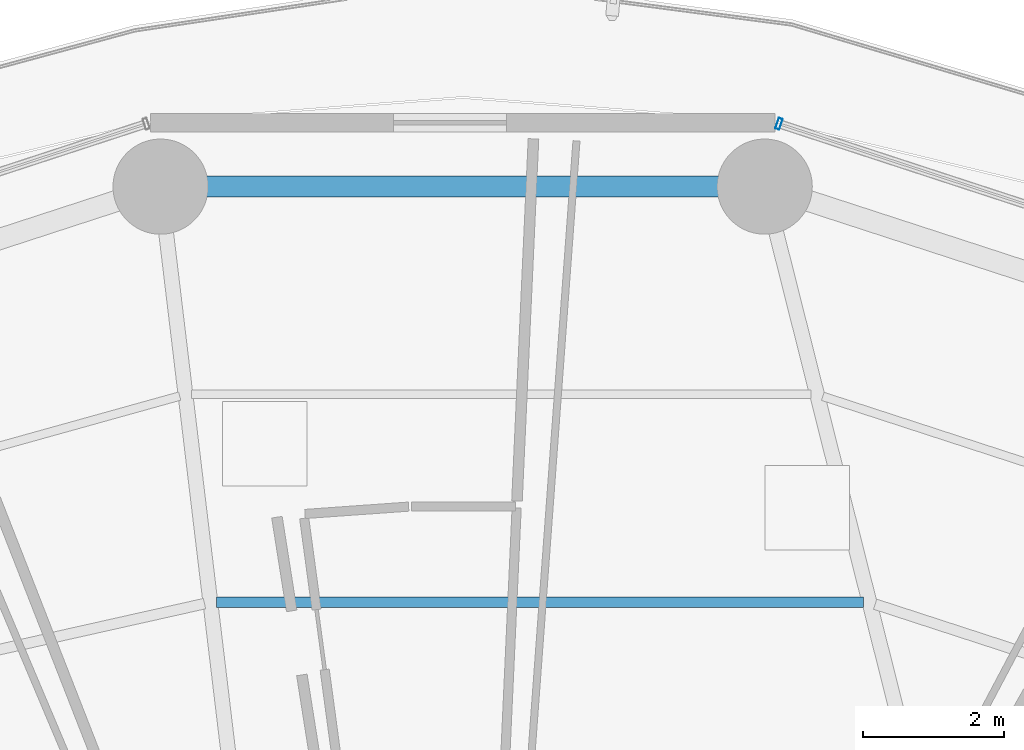
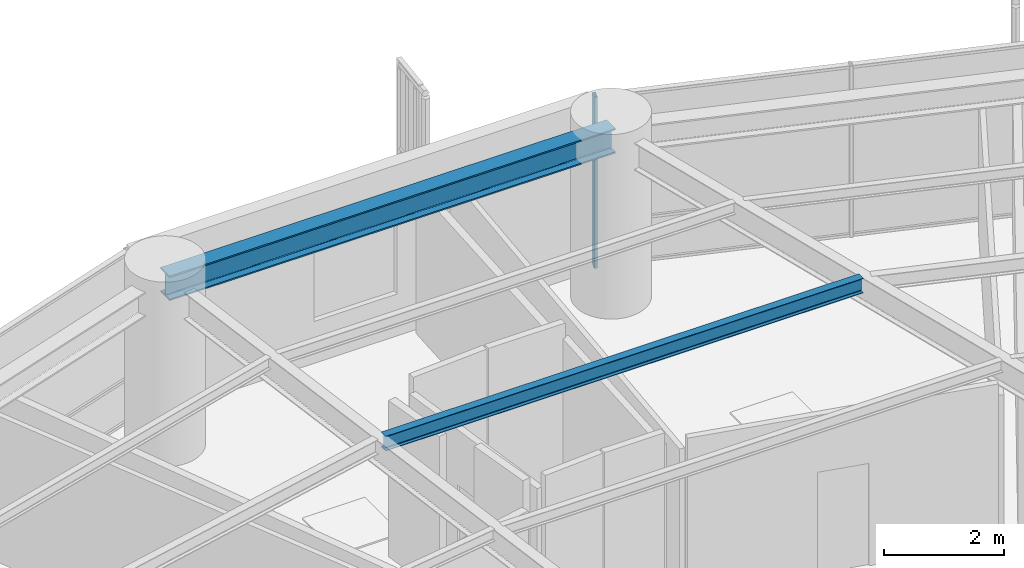
# One storey, part 23 of 37: 2 beams, 1 member, 1 element without a shape of its own.
"""IFC4 building model written with IfcOpenShell, lengths in metres."""

from ifc_helpers import new_model, si_unit, direction, frame, origin, origin_2d, place, context, subcontext, project, spatial, hollow_rectangle, i_section, extrude, material, layer, layer_set, material_profile, profile_set, type_object, element, aggregate, save


model = new_model("IFC4")

# Units and contexts
model_context = context("Model", 3, precision=1e-05, world=origin(), true_north=direction((0.0, 1.0)))
body_context = subcontext(model_context, "Body", "Model", "MODEL_VIEW")
ifc_project = project(units=[si_unit("LENGTHUNIT", "METRE"), si_unit("AREAUNIT", "SQUARE_METRE"), si_unit("VOLUMEUNIT", "CUBIC_METRE"), si_unit("PLANEANGLEUNIT", "RADIAN"), si_unit("MASSUNIT", "GRAM", prefix="KILO")], contexts=[model_context])

# Site, building, storey
site_placement = place(None, origin())
site = spatial("IfcSite", under=ifc_project, at=site_placement, CompositionType="ELEMENT")
building_placement = place(site_placement, origin())
building = spatial("IfcBuilding", under=site, at=building_placement, Name="Kelanora Arch Commons", CompositionType="ELEMENT")
storey_placement = place(building_placement, frame((0.0, 0.0, 110.10009765625)))
storey = spatial("IfcBuildingStorey", under=building, at=storey_placement, Name="L28", CompositionType="ELEMENT", Elevation=110.10009765625)

# Beams
ifc_material_1 = material(Name="Steel S355", Category="steel")
ifc_material_profile_1 = material_profile(ifc_material_1, i_section(OverallWidth=0.14990234375, OverallDepth=0.300048828125, WebThickness=0.007080078125, FlangeThickness=0.0107421875, FilletRadius=0.014892578125, at=origin_2d()), Name="IPE300")
ifc_profile_set_1 = profile_set([ifc_material_profile_1], Name="Steel S355")
beam_type_1 = type_object("IfcBeamType", Name="BM-JST-01", PredefinedType="JOIST", material=ifc_profile_set_1)
beam_1_placement = place(storey_placement, frame((79.686279296875, 73.8466796875, 3.33984375), z_axis=(-1.0, 0.0, 0.0), x_axis=(0.0, -1.0, 0.0)))
element("IfcBeam", 1, at=beam_1_placement, inside=storey, type_object=beam_type_1, Name="Secondary Chord Joist BJB-08 L28", PredefinedType="JOIST", context=body_context, shape_type="SweptSolid", body=[
    extrude(i_section(OverallWidth=0.14990234375, OverallDepth=0.300048828125, WebThickness=0.007080078125, FlangeThickness=0.0107421875, FilletRadius=0.014892578125, at=origin_2d()), origin(), (0.0, 0.0, 1.0), 9.1806640625),
])
ifc_material_profile_2 = material_profile(ifc_material_1, i_section(OverallWidth=0.300048828125, OverallDepth=0.5, WebThickness=0.014404296875, FlangeThickness=0.028076171875, FilletRadius=0.027099609375, at=origin_2d()), Name="HEB500")
ifc_profile_set_2 = profile_set([ifc_material_profile_2], Name="Steel S355")
beam_type_2 = type_object("IfcBeamType", Name="BM-SPN-Z2", PredefinedType="SPANDREL", material=ifc_profile_set_2)
beam_2_placement = place(storey_placement, frame((78.28564453125, 79.74462890625, 3.239990234375), z_axis=(-1.0, 0.0, 0.0), x_axis=(0.0, -1.0, 0.0)))
element("IfcBeam", 2, at=beam_2_placement, inside=storey, type_object=beam_type_2, Name="Perimeter Spandrel Beam BS-08 L28", PredefinedType="SPANDREL", context=body_context, shape_type="SweptSolid", body=[
    extrude(i_section(OverallWidth=0.300048828125, OverallDepth=0.5, WebThickness=0.014404296875, FlangeThickness=0.028076171875, FilletRadius=0.027099609375, at=origin_2d()), origin(), (0.0, 0.0, 1.0), 8.5712890625),
])

# Curtain wall, member
ifc_material_2 = material(Name="Terracotta ceramic-fritted low-E glass and aluminium", Category="masonry")
ifc_layer = layer(ifc_material_2, 0.159912109375)
ifc_layer_set = layer_set([ifc_layer], Name="Terracotta ceramic-fritted low-E glass and aluminium")
curtain_wall_type = type_object("IfcCurtainWallType", Name="CW-SYS-01", PredefinedType="NOTDEFINED", material=ifc_layer_set)
curtain_wall_placement = place(storey_placement, origin())
curtain_wall = element("IfcCurtainWall", 3, at=curtain_wall_placement, inside=storey, type_object=curtain_wall_type, Name="Unitised Curtain Wall L28-B03", PredefinedType="NOTDEFINED")
ifc_material_3 = material(Name="Powder-coated aluminium terracotta", Category="masonry")
ifc_material_profile_3 = material_profile(ifc_material_3, hollow_rectangle(XDim=0.159912109375, YDim=0.06005859375, WallThickness=0.0048828125, InnerFilletRadius=0.0048828125, OuterFilletRadius=0.010009765625, at=origin_2d()), Name="CWM160x60")
ifc_profile_set_3 = profile_set([ifc_material_profile_3], Name="Powder-coated aluminium terracotta")
member_type = type_object("IfcMemberType", Name="CWM-STD", PredefinedType="MULLION", material=ifc_profile_set_3)
member_placement = place(storey_placement, frame((78.48828125, 80.636474609375, 0.0), z_axis=(0.0, 0.0, 1.0), x_axis=(-0.31080470294, -0.950473795867, 0.0)))
member = element("IfcMember", 4, at=member_placement, type_object=member_type, Name="CW-01 mullion 3", PredefinedType="MULLION", context=body_context, shape_type="SweptSolid", body=[
    extrude(hollow_rectangle(XDim=0.159912109375, YDim=0.06005859375, WallThickness=0.0048828125, InnerFilletRadius=0.0048828125, OuterFilletRadius=0.010009765625, at=origin_2d()), origin(), (0.0, 0.0, 1.0), 3.474853515625),
])
aggregate(curtain_wall, [member])

save(model, "model.ifc")
